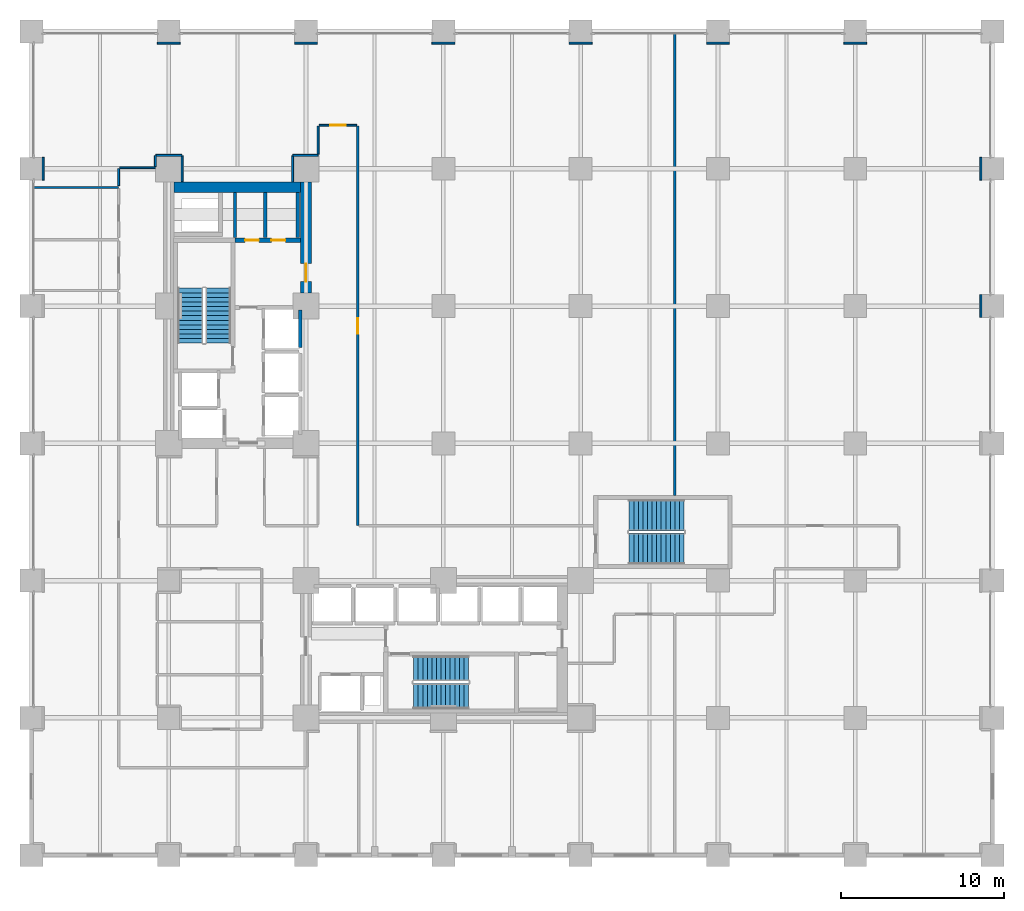
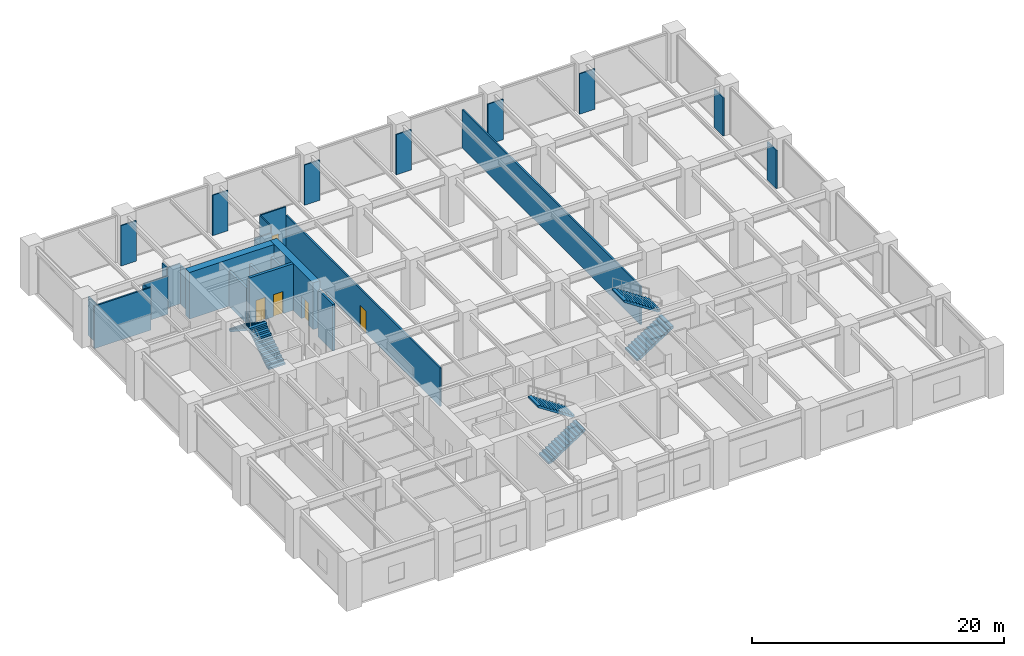
# One storey, part 22 of 23: 28 walls, 6 stair flights, 5 doors, 5 openings, 3 elements without a shape of their own.
"""IFC4 building model written with IfcOpenShell, lengths in metres."""

from ifc_helpers import new_model, si_unit, direction, frame, frame_2d, origin, place, context, subcontext, project, spatial, polyline, rectangle, outline, extrude, material, layer, layer_set, type_object, element, fill, aggregate, save


model = new_model("IFC4")

# Units and contexts
model_context = context("Model", 3, precision=1e-05, world=origin(), true_north=direction((0.0, 1.0)))
body_context = subcontext(model_context, "Body", "Model", "MODEL_VIEW")
ifc_project = project(units=[si_unit("LENGTHUNIT", "METRE"), si_unit("AREAUNIT", "SQUARE_METRE"), si_unit("VOLUMEUNIT", "CUBIC_METRE"), si_unit("PLANEANGLEUNIT", "RADIAN"), si_unit("MASSUNIT", "GRAM", prefix="KILO")], contexts=[model_context])

# Site, building, storey
site_placement = place(None, origin())
site = spatial("IfcSite", under=ifc_project, at=site_placement, CompositionType="ELEMENT")
building_placement = place(site_placement, origin())
building = spatial("IfcBuilding", under=site, at=building_placement, Name="Nerrivon Quay Data Exchange", CompositionType="ELEMENT")
storey_placement = place(building_placement, frame((0.0, 0.0, 5.39990234375)))
storey = spatial("IfcBuildingStorey", under=building, at=storey_placement, Name="L01", CompositionType="ELEMENT", Elevation=5.39990234375)

# Wall
ifc_material_1 = material(Name="Concrete N80 (80 MPa)", Category="concrete")
ifc_layer_1 = layer(ifc_material_1, 0.64990234375)
ifc_layer_set_1 = layer_set([ifc_layer_1], Name="Concrete N80 (80 MPa)")
wall_type_1 = type_object("IfcWallType", Name="WALL-CW-850", PredefinedType="SHEAR", material=ifc_layer_set_1)
wall_1_placement = place(storey_placement, frame((8.72509765625, 40.875, 0.0), z_axis=(0.0, 0.0, 1.0), x_axis=(1.0, 0.0, 0.0)))
element("IfcWall", 1, at=wall_1_placement, inside=storey, type_object=wall_type_1, Name="L01 West Split-Core Shear Wall WCW-N1", PredefinedType="SHEAR", context=body_context, shape_type="SweptSolid", body=[
    extrude(rectangle(XDim=7.75, YDim=0.64990234375, at=frame_2d((3.875, 0.0))), origin(), (0.0, 0.0, 1.0), 4.525146484375),
])

# Wall, opening, door
wall_2_placement = place(storey_placement, frame((16.800048828125, 34.39990234375, 0.0), z_axis=(0.0, 0.0, 1.0), x_axis=(0.0, 1.0, 0.0)))
wall_2 = element("IfcWall", 2, at=wall_2_placement, inside=storey, type_object=wall_type_1, Name="L01 West Split-Core Shear Wall WCW-E1", PredefinedType="SHEAR", context=body_context, shape_type="SweptSolid", body=[
    extrude(rectangle(XDim=6.800048828125, YDim=0.64990234375, at=frame_2d((3.39990234375, 0.0))), origin(), (0.0, 0.0, 1.0), 4.525146484375),
])
opening_1_placement = place(wall_2_placement, frame((0.699951171875, 0.0, 0.0)))
opening_1 = element("IfcOpeningElement", 3, at=opening_1_placement, cuts=wall_2, Name="Opening FD-120", PredefinedType="OPENING", context=body_context, shape_type="SweptSolid", body=[
    extrude(rectangle(XDim=1.10009765625, YDim=2.14990234375, at=frame_2d((0.550048828125, 1.074951171875))), frame((0.0, 0.3349609375, 0.0), z_axis=(0.0, -1.0, 0.0), x_axis=(1.0, 0.0, 0.0)), (0.0, 0.0, 1.0), 0.669921875),
])
ifc_material_2 = material(Name="Powder-coated galvanized steel sheet", Category="steel")
door_type_1 = type_object("IfcDoorType", Name="DR-FD120-1100", OperationType="NOTDEFINED", PredefinedType="DOOR", material=ifc_material_2)
door_1_placement = place(opening_1_placement, origin())
door_1 = element("IfcDoor", 4, at=door_1_placement, inside=storey, type_object=door_type_1, Name="L01 West Core Lobby Fire Door", OperationType="SINGLE_SWING_RIGHT", OverallHeight=2.14990234375, OverallWidth=1.10009765625, PredefinedType="DOOR", context=body_context, shape_type="SweptSolid", body=[
    extrude(rectangle(XDim=1.10009765625, YDim=2.14990234375, at=frame_2d((0.550048828125, 1.074951171875))), frame((0.0, 0.02490234375, 0.0), z_axis=(0.0, -1.0, 0.0), x_axis=(1.0, 0.0, 0.0)), (0.0, 0.0, 1.0), 0.050048828125),
])
fill(opening_1, door_1)

# Walls
ifc_material_3 = material(Name="Gypsum plasterboard on cold-formed framing", Category="gypsum")
ifc_layer_2 = layer(ifc_material_3, 0.199951171875)
ifc_layer_set_2 = layer_set([ifc_layer_2], Name="Gypsum plasterboard on cold-formed framing")
wall_type_2 = type_object("IfcWallType", Name="WALL-FW-200", PredefinedType="PARTITIONING", material=ifc_layer_set_2)
wall_3_placement = place(storey_placement, frame((16.449951171875, 31.050048828125, 0.0), z_axis=(0.0, 0.0, 1.0), x_axis=(0.0, 1.0, 0.0)))
element("IfcWall", 5, at=wall_3_placement, inside=storey, type_object=wall_type_2, Name="L01 Lift Shaft Wall PL3 EAST", PredefinedType="PARTITIONING", context=body_context, shape_type="SweptSolid", body=[
    extrude(rectangle(XDim=2.300048828125, YDim=0.199951171875, at=frame_2d((1.14990234375, 0.0))), origin(), (0.0, 0.0, 1.0), 4.525146484375),
])
for number, where, z_axis, x_axis, name in (
    (6, (14.300048828125, 37.780029296875, 0.0), (0.0, 0.0, 1.0), (0.0, 1.0, 0.0), "L01 Partition Cleaners Store"),
    (7, (12.449951171875, 40.5458984375, 0.0), (0.0, 0.0, 1.0), (0.0, -1.0, 0.0), "L01 Partition Cleaners Store"),
    (8, (16.300048828125, 37.780029296875, 0.0), (0.0, 0.0, 1.0), (0.0, 1.0, 0.0), "L01 Partition Janitor Closet"),
):
    element("IfcWall", number, at=place(storey_placement, frame(where, z_axis=z_axis, x_axis=x_axis)), inside=storey, type_object=wall_type_2, Name=name, PredefinedType="PARTITIONING", context=body_context, shape_type="SweptSolid", body=[
        extrude(rectangle(XDim=2.765869140625, YDim=0.199951171875, at=frame_2d((1.3828125, 0.0))), origin(), (0.0, 0.0, 1.0), 3.425048828125),
    ])
ifc_layer_3 = layer(ifc_material_3, 0.1201171875)
ifc_layer_set_3 = layer_set([ifc_layer_3], Name="Gypsum plasterboard on cold-formed framing")
wall_type_3 = type_object("IfcWallType", Name="WALL-PT-120", PredefinedType="PARTITIONING", material=ifc_layer_set_3)
wall_4_placement = place(storey_placement, frame((17.5, 49.679931640625, 0.0), z_axis=(0.0, 0.0, 1.0), x_axis=(-1.0, 0.0, 0.0)))
element("IfcWall", 9, at=wall_4_placement, inside=storey, type_object=wall_type_3, Name="L01 Partition Technical Seminar Room", PredefinedType="PARTITIONING", context=body_context, shape_type="SweptSolid", body=[
    extrude(rectangle(XDim=1.39990234375, YDim=0.1201171875, at=frame_2d((0.699951171875, 0.0))), origin(), (0.0, 0.0, 1.0), 3.9130859375),
])
wall_5_placement = place(storey_placement, frame((9.10009765625, 49.679931640625, 0.0), z_axis=(0.0, 0.0, 1.0), x_axis=(-1.0, 0.0, 0.0)))
element("IfcWall", 10, at=wall_5_placement, inside=storey, type_object=wall_type_3, Name="L01 Partition Technical Seminar Room", PredefinedType="PARTITIONING", context=body_context, shape_type="SweptSolid", body=[
    extrude(rectangle(XDim=1.400146484375, YDim=0.1201171875, at=frame_2d((0.7001953125, 0.0))), origin(), (0.0, 0.0, 1.0), 3.9130859375),
])
wall_6_placement = place(storey_placement, frame((0.719970703125, 42.699951171875, 0.0), z_axis=(0.0, 0.0, 1.0), x_axis=(0.0, -1.0, 0.0)))
element("IfcWall", 11, at=wall_6_placement, inside=storey, type_object=wall_type_3, Name="L01 Partition Technical Seminar Room", PredefinedType="PARTITIONING", context=body_context, shape_type="SweptSolid", body=[
    extrude(rectangle(XDim=1.39990234375, YDim=0.1201171875, at=frame_2d((0.699951171875, 0.0))), origin(), (0.0, 0.0, 1.0), 3.72509765625),
])
wall_7_placement = place(storey_placement, frame((5.340087890625, 40.969970703125, 0.0), z_axis=(0.0, 0.0, 1.0), x_axis=(0.0, 1.0, 0.0)))
element("IfcWall", 12, at=wall_7_placement, inside=storey, type_object=wall_type_3, Name="L01 Partition Technical Seminar Room", PredefinedType="PARTITIONING", context=body_context, shape_type="SweptSolid", body=[
    extrude(rectangle(XDim=1.030029296875, YDim=0.1201171875, at=frame_2d((0.51513671875, 0.0))), origin(), (0.0, 0.0, 1.0), 3.72509765625),
])
wall_8_placement = place(storey_placement, frame((5.39990234375, 42.06005859375, 0.0), z_axis=(0.0, 0.0, 1.0), x_axis=(1.0, 0.0, 0.0)))
element("IfcWall", 13, at=wall_8_placement, inside=storey, type_object=wall_type_3, Name="L01 Partition Technical Seminar Room", PredefinedType="PARTITIONING", context=body_context, shape_type="SweptSolid", body=[
    extrude(rectangle(XDim=2.18017578125, YDim=0.1201171875, at=frame_2d((1.090087890625, 0.0))), origin(), (0.0, 0.0, 1.0), 3.72509765625),
])
wall_9_placement = place(storey_placement, frame((7.580078125, 42.1240234375, 0.0), z_axis=(0.0, 0.0, 1.0), x_axis=(0.0, 1.0, 0.0)))
element("IfcWall", 14, at=wall_9_placement, inside=storey, type_object=wall_type_3, Name="L01 Partition Technical Seminar Room", PredefinedType="PARTITIONING", context=body_context, shape_type="SweptSolid", body=[
    extrude(rectangle(XDim=0.676025390625, YDim=0.1201171875, at=frame_2d((0.337890625, 0.0))), origin(), (0.0, 0.0, 1.0), 4.525146484375),
])
wall_10_placement = place(storey_placement, frame((7.60009765625, 42.820068359375, 0.0), z_axis=(0.0, 0.0, 1.0), x_axis=(1.0, 0.0, 0.0)))
element("IfcWall", 15, at=wall_10_placement, inside=storey, type_object=wall_type_3, Name="L01 Partition Technical Seminar Room", PredefinedType="PARTITIONING", context=body_context, shape_type="SweptSolid", body=[
    extrude(rectangle(XDim=1.599853515625, YDim=0.1201171875, at=frame_2d((0.7998046875, 0.0))), origin(), (0.0, 0.0, 1.0), 3.9130859375),
])
for number, where, z_axis, x_axis, name in (
    (16, (9.219970703125, 42.800048828125, 0.0), (0.0, 0.0, 1.0), (0.0, -1.0, 0.0), "L01 Partition Technical Seminar Room"),
    (17, (15.97998046875, 41.2041015625, 0.0), (0.0, 0.0, 1.0), (0.0, 1.0, 0.0), "L01 Partition Technical Seminar Room"),
):
    element("IfcWall", number, at=place(storey_placement, frame(where, z_axis=z_axis, x_axis=x_axis)), inside=storey, type_object=wall_type_3, Name=name, PredefinedType="PARTITIONING", context=body_context, shape_type="SweptSolid", body=[
        extrude(rectangle(XDim=1.595947265625, YDim=0.1201171875, at=frame_2d((0.7978515625, 0.0))), origin(), (0.0, 0.0, 1.0), 3.72509765625),
    ])
wall_11_placement = place(storey_placement, frame((16.0, 42.820068359375, 0.0), z_axis=(0.0, 0.0, 1.0), x_axis=(1.0, 0.0, 0.0)))
element("IfcWall", 18, at=wall_11_placement, inside=storey, type_object=wall_type_3, Name="L01 Partition Technical Seminar Room", PredefinedType="PARTITIONING", context=body_context, shape_type="SweptSolid", body=[
    extrude(rectangle(XDim=1.5400390625, YDim=0.1201171875, at=frame_2d((0.77001953125, 0.0))), origin(), (0.0, 0.0, 1.0), 3.9130859375),
])
wall_12_placement = place(storey_placement, frame((17.5400390625, 42.884033203125, 0.0), z_axis=(0.0, 0.0, 1.0), x_axis=(0.0, 1.0, 0.0)))
element("IfcWall", 19, at=wall_12_placement, inside=storey, type_object=wall_type_3, Name="L01 Partition Technical Seminar Room", PredefinedType="PARTITIONING", context=body_context, shape_type="SweptSolid", body=[
    extrude(rectangle(XDim=1.716064453125, YDim=0.1201171875, at=frame_2d((0.85791015625, 0.0))), origin(), (0.0, 0.0, 1.0), 4.525146484375),
])

# Wall, opening, door
wall_13_placement = place(storey_placement, frame((17.60009765625, 44.659912109375, 0.0), z_axis=(0.0, 0.0, 1.0), x_axis=(1.0, 0.0, 0.0)))
wall_13 = element("IfcWall", 20, at=wall_13_placement, inside=storey, type_object=wall_type_3, Name="L01 Partition Technical Seminar Room", PredefinedType="PARTITIONING", context=body_context, shape_type="SweptSolid", body=[
    extrude(rectangle(XDim=2.2998046875, YDim=0.1201171875, at=frame_2d((1.14990234375, 0.0))), origin(), (0.0, 0.0, 1.0), 4.525146484375),
])
opening_2_placement = place(wall_13_placement, frame((0.675048828125, 0.0, 0.0)))
opening_2 = element("IfcOpeningElement", 21, at=opening_2_placement, cuts=wall_13, Name="Opening D-01", PredefinedType="OPENING", context=body_context, shape_type="SweptSolid", body=[
    extrude(rectangle(XDim=0.949951171875, YDim=2.14990234375, at=frame_2d((0.47509765625, 1.074951171875))), frame((0.0, 0.070068359375, 0.0), z_axis=(0.0, -1.0, 0.0), x_axis=(1.0, 0.0, 0.0)), (0.0, 0.0, 1.0), 0.14013671875),
])
ifc_material_4 = material(Name="Engineered hardwood timber", Category="wood")
door_type_2 = type_object("IfcDoorType", Name="DR-INT-950", OperationType="NOTDEFINED", PredefinedType="DOOR", material=ifc_material_4)
door_2_placement = place(opening_2_placement, origin())
door_2 = element("IfcDoor", 22, at=door_2_placement, inside=storey, type_object=door_type_2, Name="L01 Door Technical Seminar Room", OperationType="SINGLE_SWING_LEFT", OverallHeight=2.14990234375, OverallWidth=0.949951171875, PredefinedType="DOOR", context=body_context, shape_type="SweptSolid", body=[
    extrude(rectangle(XDim=0.949951171875, YDim=2.14990234375, at=frame_2d((0.47509765625, 1.074951171875))), frame((0.0, 0.02490234375, 0.0), z_axis=(0.0, -1.0, 0.0), x_axis=(1.0, 0.0, 0.0)), (0.0, 0.0, 1.0), 0.050048828125),
])
fill(opening_2, door_2)

# Walls
wall_14_placement = place(storey_placement, frame((34.300048828125, 49.679931640625, 0.0), z_axis=(0.0, 0.0, 1.0), x_axis=(-1.0, 0.0, 0.0)))
element("IfcWall", 23, at=wall_14_placement, inside=storey, type_object=wall_type_3, Name="L01 Partition Staff Pantry 8", PredefinedType="PARTITIONING", context=body_context, shape_type="SweptSolid", body=[
    extrude(rectangle(XDim=1.400146484375, YDim=0.1201171875, at=frame_2d((0.7001953125, 0.0))), origin(), (0.0, 0.0, 1.0), 3.9130859375),
])
wall_15_placement = place(storey_placement, frame((25.89990234375, 49.679931640625, 0.0), z_axis=(0.0, 0.0, 1.0), x_axis=(-1.0, 0.0, 0.0)))
element("IfcWall", 24, at=wall_15_placement, inside=storey, type_object=wall_type_3, Name="L01 Partition Staff Pantry 8", PredefinedType="PARTITIONING", context=body_context, shape_type="SweptSolid", body=[
    extrude(rectangle(XDim=1.39990234375, YDim=0.1201171875, at=frame_2d((0.699951171875, 0.0))), origin(), (0.0, 0.0, 1.0), 3.9130859375),
])
wall_16_placement = place(storey_placement, frame((58.080078125, 32.89990234375, 0.0), z_axis=(0.0, 0.0, 1.0), x_axis=(0.0, 1.0, 0.0)))
element("IfcWall", 25, at=wall_16_placement, inside=storey, type_object=wall_type_3, Name="L01 Partition Subsea Meet-Me Operations Workspace 9", PredefinedType="PARTITIONING", context=body_context, shape_type="SweptSolid", body=[
    extrude(rectangle(XDim=1.400146484375, YDim=0.1201171875, at=frame_2d((0.7001953125, 0.0))), origin(), (0.0, 0.0, 1.0), 3.72509765625),
])
wall_17_placement = place(storey_placement, frame((58.080078125, 41.300048828125, 0.0), z_axis=(0.0, 0.0, 1.0), x_axis=(0.0, 1.0, 0.0)))
element("IfcWall", 26, at=wall_17_placement, inside=storey, type_object=wall_type_3, Name="L01 Partition Subsea Meet-Me Operations Workspace 9", PredefinedType="PARTITIONING", context=body_context, shape_type="SweptSolid", body=[
    extrude(rectangle(XDim=1.39990234375, YDim=0.1201171875, at=frame_2d((0.699951171875, 0.0))), origin(), (0.0, 0.0, 1.0), 3.72509765625),
])
wall_18_placement = place(storey_placement, frame((51.10009765625, 49.679931640625, 0.0), z_axis=(0.0, 0.0, 1.0), x_axis=(-1.0, 0.0, 0.0)))
element("IfcWall", 27, at=wall_18_placement, inside=storey, type_object=wall_type_3, Name="L01 Partition Subsea Meet-Me Operations Workspace 9", PredefinedType="PARTITIONING", context=body_context, shape_type="SweptSolid", body=[
    extrude(rectangle(XDim=1.400146484375, YDim=0.1201171875, at=frame_2d((0.7001953125, 0.0))), origin(), (0.0, 0.0, 1.0), 3.9130859375),
])
wall_19_placement = place(storey_placement, frame((42.699951171875, 49.679931640625, 0.0), z_axis=(0.0, 0.0, 1.0), x_axis=(-1.0, 0.0, 0.0)))
element("IfcWall", 28, at=wall_19_placement, inside=storey, type_object=wall_type_3, Name="L01 Partition Subsea Meet-Me Operations Workspace 9", PredefinedType="PARTITIONING", context=body_context, shape_type="SweptSolid", body=[
    extrude(rectangle(XDim=1.39990234375, YDim=0.1201171875, at=frame_2d((0.699951171875, 0.0))), origin(), (0.0, 0.0, 1.0), 3.9130859375),
])
ifc_layer_4 = layer(ifc_material_3, 0.135009765625)
ifc_layer_set_4 = layer_set([ifc_layer_4], Name="Gypsum plasterboard on cold-formed framing")
wall_type_4 = type_object("IfcWallType", Name="WALL-PT-135", PredefinedType="PARTITIONING", material=ifc_layer_set_4)
wall_20_placement = place(storey_placement, frame((5.340087890625, 40.85009765625, 0.0), z_axis=(0.0, 0.0, 1.0), x_axis=(-1.0, 0.0, 0.0)))
element("IfcWall", 29, at=wall_20_placement, inside=storey, type_object=wall_type_4, Name="L01 Partition Public Washrooms", PredefinedType="PARTITIONING", context=body_context, shape_type="SweptSolid", body=[
    extrude(rectangle(XDim=5.171142578125, YDim=0.135009765625, at=frame_2d((2.58544921875, 0.0))), origin(), (0.0, 0.0, 1.0), 4.1220703125),
])

# Wall, opening, door
ifc_layer_5 = layer(ifc_material_3, 0.14990234375)
ifc_layer_set_5 = layer_set([ifc_layer_5], Name="Gypsum plasterboard on cold-formed framing")
wall_type_5 = type_object("IfcWallType", Name="WALL-PT-150", PredefinedType="PARTITIONING", material=ifc_layer_set_5)
wall_21_placement = place(storey_placement, frame((19.9599609375, 44.60009765625, 0.0), z_axis=(0.0, 0.0, 1.0), x_axis=(0.0, -1.0, 0.0)))
wall_21 = element("IfcWall", 30, at=wall_21_placement, inside=storey, type_object=wall_type_5, Name="L01 Partition Technical Seminar Room", PredefinedType="PARTITIONING", context=body_context, shape_type="SweptSolid", body=[
    extrude(rectangle(XDim=24.440185546875, YDim=0.14990234375, at=frame_2d((12.22021484375, 0.0))), origin(), (0.0, 0.0, 1.0), 3.72509765625),
])
opening_3_placement = place(wall_21_placement, frame((11.7451171875, 0.0, 0.0)))
opening_3 = element("IfcOpeningElement", 31, at=opening_3_placement, cuts=wall_21, Name="Opening D-01", PredefinedType="OPENING", context=body_context, shape_type="SweptSolid", body=[
    extrude(rectangle(XDim=0.949951171875, YDim=2.14990234375, at=frame_2d((0.47509765625, 1.074951171875))), frame((0.0, 0.0849609375, 0.0), z_axis=(0.0, -1.0, 0.0), x_axis=(1.0, 0.0, 0.0)), (0.0, 0.0, 1.0), 0.169921875),
])
door_3_placement = place(opening_3_placement, origin())
door_3 = element("IfcDoor", 32, at=door_3_placement, inside=storey, type_object=door_type_2, Name="L01 Door Staff Pantry 8", OperationType="SINGLE_SWING_RIGHT", OverallHeight=2.14990234375, OverallWidth=0.949951171875, PredefinedType="DOOR", context=body_context, shape_type="SweptSolid", body=[
    extrude(rectangle(XDim=0.949951171875, YDim=2.14990234375, at=frame_2d((0.47509765625, 1.074951171875))), frame((0.0, 0.02490234375, 0.0), z_axis=(0.0, -1.0, 0.0), x_axis=(1.0, 0.0, 0.0)), (0.0, 0.0, 1.0), 0.050048828125),
])
fill(opening_3, door_3)

# Wall
wall_22_placement = place(storey_placement, frame((39.362060546875, 22.00390625, 0.0), z_axis=(0.0, 0.0, 1.0), x_axis=(0.0, 1.0, 0.0)))
element("IfcWall", 33, at=wall_22_placement, inside=storey, type_object=wall_type_5, Name="L01 Partition Staff Pantry 8", PredefinedType="PARTITIONING", context=body_context, shape_type="SweptSolid", body=[
    extrude(rectangle(XDim=28.22705078125, YDim=0.14990234375, at=frame_2d((14.113525390625, 0.0))), origin(), (0.0, 0.0, 1.0), 3.72509765625),
])

# Wall, openings, doors
ifc_material_5 = material(Name="Concrete N50 (50 MPa)", Category="concrete")
ifc_layer_6 = layer(ifc_material_5, 0.25)
ifc_layer_set_6 = layer_set([ifc_layer_6], Name="Concrete N50 (50 MPa)")
wall_type_6 = type_object("IfcWallType", Name="WALL-SW-250", PredefinedType="SHEAR", material=ifc_layer_set_6)
wall_23_placement = place(storey_placement, frame((12.449951171875, 37.625, 0.0), z_axis=(0.0, 0.0, 1.0), x_axis=(1.0, 0.0, 0.0)))
wall_23 = element("IfcWall", 34, at=wall_23_placement, inside=storey, type_object=wall_type_6, Name="L01 West Firefighting Lobby Wall", PredefinedType="SHEAR", context=body_context, shape_type="SweptSolid", body=[
    extrude(rectangle(XDim=4.025146484375, YDim=0.25, at=frame_2d((2.0126953125, 0.0))), origin(), (0.0, 0.0, 1.0), 4.525146484375),
])
opening_4_placement = place(wall_23_placement, frame((0.62158203125, 0.0, 0.0)))
opening_4 = element("IfcOpeningElement", 35, at=opening_4_placement, cuts=wall_23, Name="Opening FD-60S", PredefinedType="OPENING", context=body_context, shape_type="SweptSolid", body=[
    extrude(rectangle(XDim=0.85009765625, YDim=2.14990234375, at=frame_2d((0.425048828125, 1.074951171875))), frame((0.0, 0.135009765625, 0.0), z_axis=(0.0, -1.0, 0.0), x_axis=(1.0, 0.0, 0.0)), (0.0, 0.0, 1.0), 0.27001953125),
])
opening_5_placement = place(wall_23_placement, frame((2.2314453125, 0.0, 0.0)))
opening_5 = element("IfcOpeningElement", 36, at=opening_5_placement, cuts=wall_23, Name="Opening FD-60S", PredefinedType="OPENING", context=body_context, shape_type="SweptSolid", body=[
    extrude(rectangle(XDim=0.85009765625, YDim=2.14990234375, at=frame_2d((0.425048828125, 1.074951171875))), frame((0.0, 0.135009765625, 0.0), z_axis=(0.0, -1.0, 0.0), x_axis=(1.0, 0.0, 0.0)), (0.0, 0.0, 1.0), 0.27001953125),
])
door_type_3 = type_object("IfcDoorType", Name="DR-FD60-850", OperationType="NOTDEFINED", PredefinedType="DOOR", material=ifc_material_4)
door_4_placement = place(opening_4_placement, origin())
door_4 = element("IfcDoor", 37, at=door_4_placement, inside=storey, type_object=door_type_3, Name="L01 Door Cleaners Store", OperationType="SINGLE_SWING_LEFT", OverallHeight=2.14990234375, OverallWidth=0.85009765625, PredefinedType="DOOR", context=body_context, shape_type="SweptSolid", body=[
    extrude(rectangle(XDim=0.85009765625, YDim=2.14990234375, at=frame_2d((0.425048828125, 1.074951171875))), frame((0.0, 0.02490234375, 0.0), z_axis=(0.0, -1.0, 0.0), x_axis=(1.0, 0.0, 0.0)), (0.0, 0.0, 1.0), 0.050048828125),
])
fill(opening_4, door_4)
door_5_placement = place(opening_5_placement, origin())
door_5 = element("IfcDoor", 38, at=door_5_placement, inside=storey, type_object=door_type_3, Name="L01 Door Janitor Closet", OperationType="SINGLE_SWING_RIGHT", OverallHeight=2.14990234375, OverallWidth=0.85009765625, PredefinedType="DOOR", context=body_context, shape_type="SweptSolid", body=[
    extrude(rectangle(XDim=0.85009765625, YDim=2.14990234375, at=frame_2d((0.425048828125, 1.074951171875))), frame((0.0, 0.02490234375, 0.0), z_axis=(0.0, -1.0, 0.0), x_axis=(1.0, 0.0, 0.0)), (0.0, 0.0, 1.0), 0.050048828125),
])
fill(opening_5, door_5)

# Stair, stair flights
stair_type = type_object("IfcStairType", Name="STAIR-DOG-48", PredefinedType="HALF_TURN_STAIR", material=ifc_material_5)
stair_1_placement = place(storey_placement, origin())
stair_1 = element("IfcStair", 39, at=stair_1_placement, inside=storey, type_object=stair_type, Name="L01 West Core Fire Stair ST01", PredefinedType="HALF_TURN_STAIR")
stair_flight_type = type_object("IfcStairFlightType", Name="FLIGHT-DOG-48", PredefinedType="STRAIGHT", material=ifc_material_5)
stair_flight_1_placement = place(storey_placement, frame((11.425048828125, 31.330078125, 0.0), z_axis=(0.0, 0.0, 1.0), x_axis=(0.0, 1.0, 0.0)))
stair_flight_1 = element("IfcStairFlight", 40, at=stair_flight_1_placement, type_object=stair_flight_type, Name="ST01 flight 1", NumberOfRisers=13, NumberOfTreads=12, PredefinedType="STRAIGHT", RiserHeight=0.184615385, TreadLength=0.28, context=body_context, shape_type="SweptSolid", body=[
    extrude(outline(polyline([(0.0, 0.0), (0.0, 0.1845703125), (0.280029296875, 0.1845703125), (0.280029296875, 0.369140625), (0.56005859375, 0.369140625), (0.56005859375, 0.553955078125), (0.840087890625, 0.553955078125), (0.840087890625, 0.738525390625), (1.1201171875, 0.738525390625), (1.1201171875, 0.923095703125), (1.39990234375, 0.923095703125), (1.39990234375, 1.107666015625), (1.679931640625, 1.107666015625), (1.679931640625, 1.292236328125), (1.9599609375, 1.292236328125), (1.9599609375, 1.476806640625), (2.239990234375, 1.476806640625), (2.239990234375, 1.66162109375), (2.52001953125, 1.66162109375), (2.52001953125, 1.84619140625), (2.800048828125, 1.84619140625), (2.800048828125, 2.03076171875), (3.080078125, 2.03076171875), (3.080078125, 2.21533203125), (3.360107421875, 2.21533203125), (3.360107421875, 2.39990234375), (3.360107421875, 2.035888671875), (0.272216796875, 0.0), (0.0, 0.0)])), frame((0.0, 0.77490234375, 0.0), z_axis=(0.0, -1.0, 0.0), x_axis=(1.0, 0.0, 0.0)), (0.0, 0.0, 1.0), 1.550048828125),
])
stair_flight_2_placement = place(storey_placement, frame((9.72509765625, 34.68994140625, 2.400146484375), z_axis=(0.0, 0.0, 1.0), x_axis=(0.0, -1.0, 0.0)))
stair_flight_2 = element("IfcStairFlight", 41, at=stair_flight_2_placement, type_object=stair_flight_type, Name="ST01 flight 2", NumberOfRisers=13, NumberOfTreads=12, PredefinedType="STRAIGHT", RiserHeight=0.184615385, TreadLength=0.28, context=body_context, shape_type="SweptSolid", body=[
    extrude(outline(polyline([(0.0, 0.0), (0.0, 0.1845703125), (0.280029296875, 0.1845703125), (0.280029296875, 0.369140625), (0.56005859375, 0.369140625), (0.56005859375, 0.553955078125), (0.840087890625, 0.553955078125), (0.840087890625, 0.738525390625), (1.1201171875, 0.738525390625), (1.1201171875, 0.923095703125), (1.39990234375, 0.923095703125), (1.39990234375, 1.107666015625), (1.679931640625, 1.107666015625), (1.679931640625, 1.292236328125), (1.9599609375, 1.292236328125), (1.9599609375, 1.476806640625), (2.239990234375, 1.476806640625), (2.239990234375, 1.66162109375), (2.52001953125, 1.66162109375), (2.52001953125, 1.84619140625), (2.800048828125, 1.84619140625), (2.800048828125, 2.03076171875), (3.080078125, 2.03076171875), (3.080078125, 2.21533203125), (3.360107421875, 2.21533203125), (3.360107421875, 2.39990234375), (3.360107421875, 2.035888671875), (0.272216796875, 0.0), (0.0, 0.0)])), frame((0.0, 0.77490234375, 0.0), z_axis=(0.0, -1.0, 0.0), x_axis=(1.0, 0.0, 0.0)), (0.0, 0.0, 1.0), 1.550048828125),
])
aggregate(stair_1, [stair_flight_1, stair_flight_2])

stair_2_placement = place(storey_placement, origin())
stair_2 = element("IfcStair", 42, at=stair_2_placement, inside=storey, type_object=stair_type, Name="L01 East Core Fire Stair ST02", PredefinedType="HALF_TURN_STAIR")
stair_flight_3_placement = place(storey_placement, frame((23.3798828125, 9.72509765625, 0.0), z_axis=(0.0, 0.0, 1.0), x_axis=(1.0, 0.0, 0.0)))
stair_flight_3 = element("IfcStairFlight", 43, at=stair_flight_3_placement, type_object=stair_flight_type, Name="ST02 flight 1", NumberOfRisers=13, NumberOfTreads=12, PredefinedType="STRAIGHT", RiserHeight=0.184615385, TreadLength=0.28, context=body_context, shape_type="SweptSolid", body=[
    extrude(outline(polyline([(0.0, 0.0), (0.0, 0.1845703125), (0.280029296875, 0.1845703125), (0.280029296875, 0.369140625), (0.56005859375, 0.369140625), (0.56005859375, 0.553955078125), (0.840087890625, 0.553955078125), (0.840087890625, 0.738525390625), (1.1201171875, 0.738525390625), (1.1201171875, 0.923095703125), (1.39990234375, 0.923095703125), (1.39990234375, 1.107666015625), (1.679931640625, 1.107666015625), (1.679931640625, 1.292236328125), (1.9599609375, 1.292236328125), (1.9599609375, 1.476806640625), (2.239990234375, 1.476806640625), (2.239990234375, 1.66162109375), (2.52001953125, 1.66162109375), (2.52001953125, 1.84619140625), (2.800048828125, 1.84619140625), (2.800048828125, 2.03076171875), (3.080078125, 2.03076171875), (3.080078125, 2.21533203125), (3.360107421875, 2.21533203125), (3.360107421875, 2.39990234375), (3.360107421875, 2.035888671875), (0.272216796875, 0.0), (0.0, 0.0)])), frame((0.0, 0.77490234375, 0.0), z_axis=(0.0, -1.0, 0.0), x_axis=(1.0, 0.0, 0.0)), (0.0, 0.0, 1.0), 1.550048828125),
])
stair_flight_4_placement = place(storey_placement, frame((26.739990234375, 11.425048828125, 2.400146484375), z_axis=(0.0, 0.0, 1.0), x_axis=(-1.0, 0.0, 0.0)))
stair_flight_4 = element("IfcStairFlight", 44, at=stair_flight_4_placement, type_object=stair_flight_type, Name="ST02 flight 2", NumberOfRisers=13, NumberOfTreads=12, PredefinedType="STRAIGHT", RiserHeight=0.184615385, TreadLength=0.28, context=body_context, shape_type="SweptSolid", body=[
    extrude(outline(polyline([(0.0, 0.0), (0.0, 0.1845703125), (0.280029296875, 0.1845703125), (0.280029296875, 0.369140625), (0.56005859375, 0.369140625), (0.56005859375, 0.553955078125), (0.840087890625, 0.553955078125), (0.840087890625, 0.738525390625), (1.1201171875, 0.738525390625), (1.1201171875, 0.923095703125), (1.39990234375, 0.923095703125), (1.39990234375, 1.107666015625), (1.679931640625, 1.107666015625), (1.679931640625, 1.292236328125), (1.9599609375, 1.292236328125), (1.9599609375, 1.476806640625), (2.239990234375, 1.476806640625), (2.239990234375, 1.66162109375), (2.52001953125, 1.66162109375), (2.52001953125, 1.84619140625), (2.800048828125, 1.84619140625), (2.800048828125, 2.03076171875), (3.080078125, 2.03076171875), (3.080078125, 2.21533203125), (3.360107421875, 2.21533203125), (3.360107421875, 2.39990234375), (3.360107421875, 2.035888671875), (0.272216796875, 0.0), (0.0, 0.0)])), frame((0.0, 0.77490234375, 0.0), z_axis=(0.0, -1.0, 0.0), x_axis=(1.0, 0.0, 0.0)), (0.0, 0.0, 1.0), 1.550048828125),
])
aggregate(stair_2, [stair_flight_3, stair_flight_4])

stair_3_placement = place(storey_placement, origin())
stair_3 = element("IfcStair", 45, at=stair_3_placement, inside=storey, type_object=stair_type, Name="L01 Podium Exit Stair ST03", PredefinedType="HALF_TURN_STAIR")
stair_flight_5_placement = place(storey_placement, frame((36.570068359375, 18.75, 0.0), z_axis=(0.0, 0.0, 1.0), x_axis=(1.0, 0.0, 0.0)))
stair_flight_5 = element("IfcStairFlight", 46, at=stair_flight_5_placement, type_object=stair_flight_type, Name="ST03 flight 1", NumberOfRisers=13, NumberOfTreads=12, PredefinedType="STRAIGHT", RiserHeight=0.184615385, TreadLength=0.28, context=body_context, shape_type="SweptSolid", body=[
    extrude(outline(polyline([(0.0, 0.0), (0.0, 0.1845703125), (0.280029296875, 0.1845703125), (0.280029296875, 0.369140625), (0.56005859375, 0.369140625), (0.56005859375, 0.553955078125), (0.840087890625, 0.553955078125), (0.840087890625, 0.738525390625), (1.1201171875, 0.738525390625), (1.1201171875, 0.923095703125), (1.39990234375, 0.923095703125), (1.39990234375, 1.107666015625), (1.679931640625, 1.107666015625), (1.679931640625, 1.292236328125), (1.9599609375, 1.292236328125), (1.9599609375, 1.476806640625), (2.239990234375, 1.476806640625), (2.239990234375, 1.66162109375), (2.52001953125, 1.66162109375), (2.52001953125, 1.84619140625), (2.800048828125, 1.84619140625), (2.800048828125, 2.03076171875), (3.080078125, 2.03076171875), (3.080078125, 2.21533203125), (3.360107421875, 2.21533203125), (3.360107421875, 2.39990234375), (3.360107421875, 2.035888671875), (0.272216796875, 0.0), (0.0, 0.0)])), frame((0.0, 0.949951171875, 0.0), z_axis=(0.0, -1.0, 0.0), x_axis=(1.0, 0.0, 0.0)), (0.0, 0.0, 1.0), 1.89990234375),
])
stair_flight_6_placement = place(storey_placement, frame((39.929931640625, 20.800048828125, 2.400146484375), z_axis=(0.0, 0.0, 1.0), x_axis=(-1.0, 0.0, 0.0)))
stair_flight_6 = element("IfcStairFlight", 47, at=stair_flight_6_placement, type_object=stair_flight_type, Name="ST03 flight 2", NumberOfRisers=13, NumberOfTreads=12, PredefinedType="STRAIGHT", RiserHeight=0.184615385, TreadLength=0.28, context=body_context, shape_type="SweptSolid", body=[
    extrude(outline(polyline([(0.0, 0.0), (0.0, 0.1845703125), (0.280029296875, 0.1845703125), (0.280029296875, 0.369140625), (0.56005859375, 0.369140625), (0.56005859375, 0.553955078125), (0.840087890625, 0.553955078125), (0.840087890625, 0.738525390625), (1.1201171875, 0.738525390625), (1.1201171875, 0.923095703125), (1.39990234375, 0.923095703125), (1.39990234375, 1.107666015625), (1.679931640625, 1.107666015625), (1.679931640625, 1.292236328125), (1.9599609375, 1.292236328125), (1.9599609375, 1.476806640625), (2.239990234375, 1.476806640625), (2.239990234375, 1.66162109375), (2.52001953125, 1.66162109375), (2.52001953125, 1.84619140625), (2.800048828125, 1.84619140625), (2.800048828125, 2.03076171875), (3.080078125, 2.03076171875), (3.080078125, 2.21533203125), (3.360107421875, 2.21533203125), (3.360107421875, 2.39990234375), (3.360107421875, 2.035888671875), (0.272216796875, 0.0), (0.0, 0.0)])), frame((0.0, 0.949951171875, 0.0), z_axis=(0.0, -1.0, 0.0), x_axis=(1.0, 0.0, 0.0)), (0.0, 0.0, 1.0), 1.89990234375),
])
aggregate(stair_3, [stair_flight_5, stair_flight_6])

save(model, "model.ifc")
